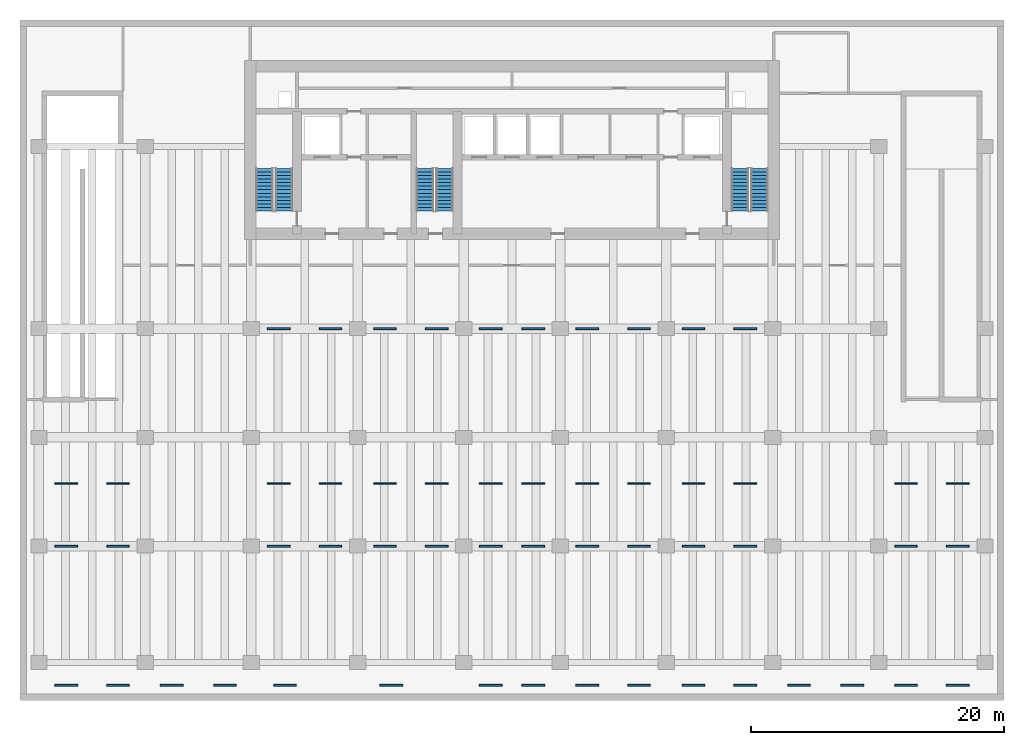
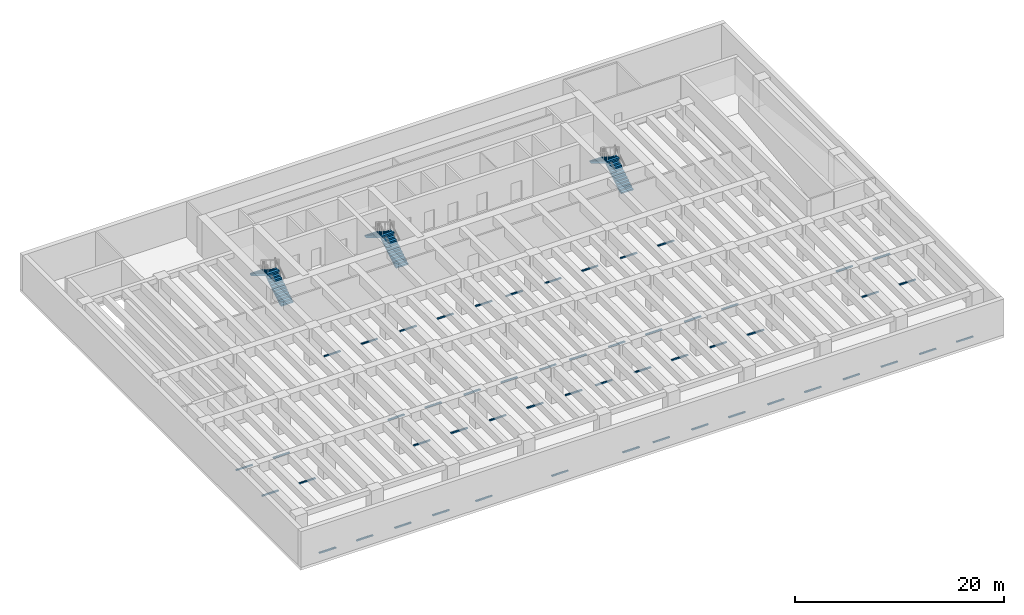
# One storey, part 6 of 8: 54 discrete accessories, 6 stair flights, 3 elements without a shape of their own.
"""IFC4 building model written with IfcOpenShell, lengths in metres."""

from ifc_helpers import new_model, si_unit, direction, frame, origin, origin_2d, place, context, subcontext, project, spatial, polyline, rectangle, outline, extrude, material, type_object, element, aggregate, save


model = new_model("IFC4")

# Units and contexts
model_context = context("Model", 3, precision=1e-05, world=origin(), true_north=direction((0.0, 1.0)))
body_context = subcontext(model_context, "Body", "Model", "MODEL_VIEW")
ifc_project = project(units=[si_unit("LENGTHUNIT", "METRE"), si_unit("AREAUNIT", "SQUARE_METRE"), si_unit("VOLUMEUNIT", "CUBIC_METRE"), si_unit("PLANEANGLEUNIT", "RADIAN"), si_unit("MASSUNIT", "GRAM", prefix="KILO")], contexts=[model_context])

# Site, building, storey
site_placement = place(None, origin())
site = spatial("IfcSite", under=ifc_project, at=site_placement, CompositionType="ELEMENT")
building_placement = place(site_placement, origin())
building = spatial("IfcBuilding", under=site, at=building_placement, Name="Caelmar Bay Residences", CompositionType="ELEMENT")
storey_placement = place(building_placement, frame((0.0, 0.0, -4.5)))
storey = spatial("IfcBuildingStorey", under=building, at=storey_placement, Name="B01", CompositionType="ELEMENT", Elevation=-4.5)

# Stair, stair flights
ifc_material_1 = material(Name="Concrete f'c 40 MPa (6,000 psi)", Category="concrete")
stair_type = type_object("IfcStairType", Name="ST-BSM-173", PredefinedType="HALF_TURN_STAIR", material=ifc_material_1)
stair_1_placement = place(storey_placement, origin())
stair_1 = element("IfcStair", 1, at=stair_1_placement, inside=storey, type_object=stair_type, Name="B01 West Smokeproof Exit Stair ST1", PredefinedType="HALF_TURN_STAIR")
ifc_material_2 = material(Name="Precast concrete f'c 40 MPa (6,000 psi)", Category="concrete")
stair_flight_type = type_object("IfcStairFlightType", Name="STF-1400", PredefinedType="STRAIGHT", material=ifc_material_2)
stair_flight_1_placement = place(storey_placement, frame((20.875, 38.699951171875, 0.0), z_axis=(0.0, 0.0, 1.0), x_axis=(0.0, 1.0, 0.0)))
stair_flight_1 = element("IfcStairFlight", 2, at=stair_flight_1_placement, type_object=stair_flight_type, Name="ST1 flight 1", NumberOfRisers=13, NumberOfTreads=12, PredefinedType="STRAIGHT", RiserHeight=0.173076923, TreadLength=0.28, context=body_context, shape_type="SweptSolid", body=[
    extrude(outline(polyline([(0.0, 0.0), (0.0, 0.173095703125), (0.280029296875, 0.173095703125), (0.280029296875, 0.34619140625), (0.56005859375, 0.34619140625), (0.56005859375, 0.519287109375), (0.840087890625, 0.519287109375), (0.840087890625, 0.6923828125), (1.1201171875, 0.6923828125), (1.1201171875, 0.865478515625), (1.39990234375, 0.865478515625), (1.39990234375, 1.03857421875), (1.679931640625, 1.03857421875), (1.679931640625, 1.21142578125), (1.9599609375, 1.21142578125), (1.9599609375, 1.384521484375), (2.239990234375, 1.384521484375), (2.239990234375, 1.5576171875), (2.52001953125, 1.5576171875), (2.52001953125, 1.730712890625), (2.800048828125, 1.730712890625), (2.800048828125, 1.90380859375), (3.080078125, 1.90380859375), (3.080078125, 2.076904296875), (3.360107421875, 2.076904296875), (3.360107421875, 2.25), (3.360107421875, 1.900634765625), (0.28515625, 0.0), (0.0, 0.0)])), frame((0.0, 0.675048828125, 0.0), z_axis=(0.0, -1.0, 0.0), x_axis=(1.0, 0.0, 0.0)), (0.0, 0.0, 1.0), 1.35009765625),
])
stair_flight_2_placement = place(storey_placement, frame((19.324951171875, 42.06005859375, 2.25), z_axis=(0.0, 0.0, 1.0), x_axis=(0.0, -1.0, 0.0)))
stair_flight_2 = element("IfcStairFlight", 3, at=stair_flight_2_placement, type_object=stair_flight_type, Name="ST1 flight 2", NumberOfRisers=13, NumberOfTreads=12, PredefinedType="STRAIGHT", RiserHeight=0.173076923, TreadLength=0.28, context=body_context, shape_type="SweptSolid", body=[
    extrude(outline(polyline([(0.0, 0.0), (0.0, 0.173095703125), (0.280029296875, 0.173095703125), (0.280029296875, 0.34619140625), (0.56005859375, 0.34619140625), (0.56005859375, 0.519287109375), (0.840087890625, 0.519287109375), (0.840087890625, 0.6923828125), (1.1201171875, 0.6923828125), (1.1201171875, 0.865478515625), (1.39990234375, 0.865478515625), (1.39990234375, 1.03857421875), (1.679931640625, 1.03857421875), (1.679931640625, 1.21142578125), (1.9599609375, 1.21142578125), (1.9599609375, 1.384521484375), (2.239990234375, 1.384521484375), (2.239990234375, 1.5576171875), (2.52001953125, 1.5576171875), (2.52001953125, 1.730712890625), (2.800048828125, 1.730712890625), (2.800048828125, 1.90380859375), (3.080078125, 1.90380859375), (3.080078125, 2.076904296875), (3.360107421875, 2.076904296875), (3.360107421875, 2.25), (3.360107421875, 1.900634765625), (0.28515625, 0.0), (0.0, 0.0)])), frame((0.0, 0.675048828125, 0.0), z_axis=(0.0, -1.0, 0.0), x_axis=(1.0, 0.0, 0.0)), (0.0, 0.0, 1.0), 1.35009765625),
])
aggregate(stair_1, [stair_flight_1, stair_flight_2])

stair_2_placement = place(storey_placement, origin())
stair_2 = element("IfcStair", 4, at=stair_2_placement, inside=storey, type_object=stair_type, Name="B01 East Smokeproof Exit Stair ST2", PredefinedType="HALF_TURN_STAIR")
stair_flight_3_placement = place(storey_placement, frame((58.47509765625, 38.699951171875, 0.0), z_axis=(0.0, 0.0, 1.0), x_axis=(0.0, 1.0, 0.0)))
stair_flight_3 = element("IfcStairFlight", 5, at=stair_flight_3_placement, type_object=stair_flight_type, Name="ST2 flight 1", NumberOfRisers=13, NumberOfTreads=12, PredefinedType="STRAIGHT", RiserHeight=0.173076923, TreadLength=0.28, context=body_context, shape_type="SweptSolid", body=[
    extrude(outline(polyline([(0.0, 0.0), (0.0, 0.173095703125), (0.280029296875, 0.173095703125), (0.280029296875, 0.34619140625), (0.56005859375, 0.34619140625), (0.56005859375, 0.519287109375), (0.840087890625, 0.519287109375), (0.840087890625, 0.6923828125), (1.1201171875, 0.6923828125), (1.1201171875, 0.865478515625), (1.39990234375, 0.865478515625), (1.39990234375, 1.03857421875), (1.679931640625, 1.03857421875), (1.679931640625, 1.21142578125), (1.9599609375, 1.21142578125), (1.9599609375, 1.384521484375), (2.239990234375, 1.384521484375), (2.239990234375, 1.5576171875), (2.52001953125, 1.5576171875), (2.52001953125, 1.730712890625), (2.800048828125, 1.730712890625), (2.800048828125, 1.90380859375), (3.080078125, 1.90380859375), (3.080078125, 2.076904296875), (3.360107421875, 2.076904296875), (3.360107421875, 2.25), (3.360107421875, 1.900634765625), (0.28515625, 0.0), (0.0, 0.0)])), frame((0.0, 0.675048828125, 0.0), z_axis=(0.0, -1.0, 0.0), x_axis=(1.0, 0.0, 0.0)), (0.0, 0.0, 1.0), 1.35009765625),
])
stair_flight_4_placement = place(storey_placement, frame((56.925048828125, 42.06005859375, 2.25), z_axis=(0.0, 0.0, 1.0), x_axis=(0.0, -1.0, 0.0)))
stair_flight_4 = element("IfcStairFlight", 6, at=stair_flight_4_placement, type_object=stair_flight_type, Name="ST2 flight 2", NumberOfRisers=13, NumberOfTreads=12, PredefinedType="STRAIGHT", RiserHeight=0.173076923, TreadLength=0.28, context=body_context, shape_type="SweptSolid", body=[
    extrude(outline(polyline([(0.0, 0.0), (0.0, 0.173095703125), (0.280029296875, 0.173095703125), (0.280029296875, 0.34619140625), (0.56005859375, 0.34619140625), (0.56005859375, 0.519287109375), (0.840087890625, 0.519287109375), (0.840087890625, 0.6923828125), (1.1201171875, 0.6923828125), (1.1201171875, 0.865478515625), (1.39990234375, 0.865478515625), (1.39990234375, 1.03857421875), (1.679931640625, 1.03857421875), (1.679931640625, 1.21142578125), (1.9599609375, 1.21142578125), (1.9599609375, 1.384521484375), (2.239990234375, 1.384521484375), (2.239990234375, 1.5576171875), (2.52001953125, 1.5576171875), (2.52001953125, 1.730712890625), (2.800048828125, 1.730712890625), (2.800048828125, 1.90380859375), (3.080078125, 1.90380859375), (3.080078125, 2.076904296875), (3.360107421875, 2.076904296875), (3.360107421875, 2.25), (3.360107421875, 1.900634765625), (0.28515625, 0.0), (0.0, 0.0)])), frame((0.0, 0.675048828125, 0.0), z_axis=(0.0, -1.0, 0.0), x_axis=(1.0, 0.0, 0.0)), (0.0, 0.0, 1.0), 1.35009765625),
])
aggregate(stair_2, [stair_flight_3, stair_flight_4])

stair_3_placement = place(storey_placement, origin())
stair_3 = element("IfcStair", 7, at=stair_3_placement, inside=storey, type_object=stair_type, Name="B01 Central Smokeproof Exit Stair ST3", PredefinedType="HALF_TURN_STAIR")
stair_flight_5_placement = place(storey_placement, frame((33.574951171875, 38.699951171875, 0.0), z_axis=(0.0, 0.0, 1.0), x_axis=(0.0, 1.0, 0.0)))
stair_flight_5 = element("IfcStairFlight", 8, at=stair_flight_5_placement, type_object=stair_flight_type, Name="ST3 flight 1", NumberOfRisers=13, NumberOfTreads=12, PredefinedType="STRAIGHT", RiserHeight=0.173076923, TreadLength=0.28, context=body_context, shape_type="SweptSolid", body=[
    extrude(outline(polyline([(0.0, 0.0), (0.0, 0.173095703125), (0.280029296875, 0.173095703125), (0.280029296875, 0.34619140625), (0.56005859375, 0.34619140625), (0.56005859375, 0.519287109375), (0.840087890625, 0.519287109375), (0.840087890625, 0.6923828125), (1.1201171875, 0.6923828125), (1.1201171875, 0.865478515625), (1.39990234375, 0.865478515625), (1.39990234375, 1.03857421875), (1.679931640625, 1.03857421875), (1.679931640625, 1.21142578125), (1.9599609375, 1.21142578125), (1.9599609375, 1.384521484375), (2.239990234375, 1.384521484375), (2.239990234375, 1.5576171875), (2.52001953125, 1.5576171875), (2.52001953125, 1.730712890625), (2.800048828125, 1.730712890625), (2.800048828125, 1.90380859375), (3.080078125, 1.90380859375), (3.080078125, 2.076904296875), (3.360107421875, 2.076904296875), (3.360107421875, 2.25), (3.360107421875, 1.900634765625), (0.28515625, 0.0), (0.0, 0.0)])), frame((0.0, 0.675048828125, 0.0), z_axis=(0.0, -1.0, 0.0), x_axis=(1.0, 0.0, 0.0)), (0.0, 0.0, 1.0), 1.35009765625),
])
stair_flight_6_placement = place(storey_placement, frame((32.02490234375, 42.06005859375, 2.25), z_axis=(0.0, 0.0, 1.0), x_axis=(0.0, -1.0, 0.0)))
stair_flight_6 = element("IfcStairFlight", 9, at=stair_flight_6_placement, type_object=stair_flight_type, Name="ST3 flight 2", NumberOfRisers=13, NumberOfTreads=12, PredefinedType="STRAIGHT", RiserHeight=0.173076923, TreadLength=0.28, context=body_context, shape_type="SweptSolid", body=[
    extrude(outline(polyline([(0.0, 0.0), (0.0, 0.173095703125), (0.280029296875, 0.173095703125), (0.280029296875, 0.34619140625), (0.56005859375, 0.34619140625), (0.56005859375, 0.519287109375), (0.840087890625, 0.519287109375), (0.840087890625, 0.6923828125), (1.1201171875, 0.6923828125), (1.1201171875, 0.865478515625), (1.39990234375, 0.865478515625), (1.39990234375, 1.03857421875), (1.679931640625, 1.03857421875), (1.679931640625, 1.21142578125), (1.9599609375, 1.21142578125), (1.9599609375, 1.384521484375), (2.239990234375, 1.384521484375), (2.239990234375, 1.5576171875), (2.52001953125, 1.5576171875), (2.52001953125, 1.730712890625), (2.800048828125, 1.730712890625), (2.800048828125, 1.90380859375), (3.080078125, 1.90380859375), (3.080078125, 2.076904296875), (3.360107421875, 2.076904296875), (3.360107421875, 2.25), (3.360107421875, 1.900634765625), (0.28515625, 0.0), (0.0, 0.0)])), frame((0.0, 0.675048828125, 0.0), z_axis=(0.0, -1.0, 0.0), x_axis=(1.0, 0.0, 0.0)), (0.0, 0.0, 1.0), 1.35009765625),
])
aggregate(stair_3, [stair_flight_5, stair_flight_6])

# Discrete accessories
ifc_material_3 = material(Name="Precast concrete f'c 30 MPa (4,500 psi)", Category="concrete")
discrete_accessory_type = type_object("IfcDiscreteAccessoryType", Name="ACC-WHLSTOP-1800", PredefinedType="USERDEFINED", material=ifc_material_3)
for number, where, z_axis, x_axis, name in (
    (10, (3.64990234375, 1.199951171875, 0.0), (0.0, 0.0, 1.0), (1.0, 0.0, 0.0), "B01 Parking Stall 1 Wheel Stop"),
    (11, (7.75, 1.199951171875, 0.0), (0.0, 0.0, 1.0), (1.0, 0.0, 0.0), "B01 Parking Stall 2 Wheel Stop"),
    (12, (12.0, 1.199951171875, 0.0), (0.0, 0.0, 1.0), (1.0, 0.0, 0.0), "B01 Parking Stall 3 Wheel Stop"),
    (13, (16.199951171875, 1.199951171875, 0.0), (0.0, 0.0, 1.0), (1.0, 0.0, 0.0), "B01 Parking Stall 4 Wheel Stop"),
    (14, (20.949951171875, 1.199951171875, 0.0), (0.0, 0.0, 1.0), (1.0, 0.0, 0.0), "B01 Accessible Parking Bay 5 Wheel Stop"),
    (15, (29.35009765625, 1.199951171875, 0.0), (0.0, 0.0, 1.0), (1.0, 0.0, 0.0), "B01 Accessible Parking Bay 6 Wheel Stop"),
    (16, (37.22509765625, 1.199951171875, 0.0), (0.0, 0.0, 1.0), (1.0, 0.0, 0.0), "B01 Parking Stall 7 Wheel Stop"),
    (17, (40.574951171875, 1.199951171875, 0.0), (0.0, 0.0, 1.0), (1.0, 0.0, 0.0), "B01 Parking Stall 8 Wheel Stop"),
    (18, (44.85009765625, 1.199951171875, 0.0), (0.0, 0.0, 1.0), (1.0, 0.0, 0.0), "B01 Parking Stall 9 Wheel Stop"),
    (19, (48.949951171875, 1.199951171875, 0.0), (0.0, 0.0, 1.0), (1.0, 0.0, 0.0), "B01 Parking Stall 10 Wheel Stop"),
    (20, (53.25, 1.199951171875, 0.0), (0.0, 0.0, 1.0), (1.0, 0.0, 0.0), "B01 Parking Stall 11 Wheel Stop"),
    (21, (57.35009765625, 1.199951171875, 0.0), (0.0, 0.0, 1.0), (1.0, 0.0, 0.0), "B01 Parking Stall 12 Wheel Stop"),
    (22, (61.60009765625, 1.199951171875, 0.0), (0.0, 0.0, 1.0), (1.0, 0.0, 0.0), "B01 Parking Stall 13 Wheel Stop"),
    (23, (65.800048828125, 1.199951171875, 0.0), (0.0, 0.0, 1.0), (1.0, 0.0, 0.0), "B01 Parking Stall 14 Wheel Stop"),
    (24, (70.050048828125, 1.199951171875, 0.0), (0.0, 0.0, 1.0), (1.0, 0.0, 0.0), "B01 Parking Stall 15 Wheel Stop"),
    (25, (74.14990234375, 1.199951171875, 0.0), (0.0, 0.0, 1.0), (1.0, 0.0, 0.0), "B01 Parking Stall 16 Wheel Stop"),
    (26, (3.64990234375, 12.199951171875, 0.0), (0.0, 0.0, 1.0), (1.0, 0.0, 0.0), "B01 Parking Stall 17 Wheel Stop"),
    (27, (7.75, 12.199951171875, 0.0), (0.0, 0.0, 1.0), (1.0, 0.0, 0.0), "B01 Parking Stall 18 Wheel Stop"),
    (28, (20.449951171875, 12.199951171875, 0.0), (0.0, 0.0, 1.0), (1.0, 0.0, 0.0), "B01 Parking Stall 19 Wheel Stop"),
    (29, (24.550048828125, 12.199951171875, 0.0), (0.0, 0.0, 1.0), (1.0, 0.0, 0.0), "B01 Parking Stall 20 Wheel Stop"),
    (30, (28.85009765625, 12.199951171875, 0.0), (0.0, 0.0, 1.0), (1.0, 0.0, 0.0), "B01 Parking Stall 21 Wheel Stop"),
    (31, (32.949951171875, 12.199951171875, 0.0), (0.0, 0.0, 1.0), (1.0, 0.0, 0.0), "B01 Parking Stall 22 Wheel Stop"),
    (32, (37.22509765625, 12.199951171875, 0.0), (0.0, 0.0, 1.0), (1.0, 0.0, 0.0), "B01 Parking Stall 23 Wheel Stop"),
    (33, (40.574951171875, 12.199951171875, 0.0), (0.0, 0.0, 1.0), (1.0, 0.0, 0.0), "B01 Parking Stall 24 Wheel Stop"),
    (34, (44.85009765625, 12.199951171875, 0.0), (0.0, 0.0, 1.0), (1.0, 0.0, 0.0), "B01 Parking Stall 25 Wheel Stop"),
    (35, (48.949951171875, 12.199951171875, 0.0), (0.0, 0.0, 1.0), (1.0, 0.0, 0.0), "B01 Parking Stall 26 Wheel Stop"),
    (36, (53.25, 12.199951171875, 0.0), (0.0, 0.0, 1.0), (1.0, 0.0, 0.0), "B01 Parking Stall 27 Wheel Stop"),
    (37, (57.35009765625, 12.199951171875, 0.0), (0.0, 0.0, 1.0), (1.0, 0.0, 0.0), "B01 Parking Stall 28 Wheel Stop"),
    (38, (70.050048828125, 12.199951171875, 0.0), (0.0, 0.0, 1.0), (1.0, 0.0, 0.0), "B01 Parking Stall 29 Wheel Stop"),
    (39, (74.14990234375, 12.199951171875, 0.0), (0.0, 0.0, 1.0), (1.0, 0.0, 0.0), "B01 Parking Stall 30 Wheel Stop"),
    (40, (3.64990234375, 17.14990234375, 0.0), (0.0, 0.0, 1.0), (1.0, 0.0, 0.0), "B01 Parking Stall 31 Wheel Stop"),
    (41, (7.75, 17.14990234375, 0.0), (0.0, 0.0, 1.0), (1.0, 0.0, 0.0), "B01 Parking Stall 32 Wheel Stop"),
    (42, (20.449951171875, 17.14990234375, 0.0), (0.0, 0.0, 1.0), (1.0, 0.0, 0.0), "B01 Parking Stall 33 Wheel Stop"),
    (43, (24.550048828125, 17.14990234375, 0.0), (0.0, 0.0, 1.0), (1.0, 0.0, 0.0), "B01 Parking Stall 34 Wheel Stop"),
    (44, (28.85009765625, 17.14990234375, 0.0), (0.0, 0.0, 1.0), (1.0, 0.0, 0.0), "B01 Parking Stall 35 Wheel Stop"),
    (45, (32.949951171875, 17.14990234375, 0.0), (0.0, 0.0, 1.0), (1.0, 0.0, 0.0), "B01 Parking Stall 36 Wheel Stop"),
    (46, (37.22509765625, 17.14990234375, 0.0), (0.0, 0.0, 1.0), (1.0, 0.0, 0.0), "B01 Parking Stall 37 Wheel Stop"),
    (47, (40.574951171875, 17.14990234375, 0.0), (0.0, 0.0, 1.0), (1.0, 0.0, 0.0), "B01 Parking Stall 38 Wheel Stop"),
    (48, (44.85009765625, 17.14990234375, 0.0), (0.0, 0.0, 1.0), (1.0, 0.0, 0.0), "B01 Parking Stall 39 Wheel Stop"),
    (49, (48.949951171875, 17.14990234375, 0.0), (0.0, 0.0, 1.0), (1.0, 0.0, 0.0), "B01 Parking Stall 40 Wheel Stop"),
    (50, (53.25, 17.14990234375, 0.0), (0.0, 0.0, 1.0), (1.0, 0.0, 0.0), "B01 Parking Stall 41 Wheel Stop"),
    (51, (57.35009765625, 17.14990234375, 0.0), (0.0, 0.0, 1.0), (1.0, 0.0, 0.0), "B01 Parking Stall 42 Wheel Stop"),
    (52, (70.050048828125, 17.14990234375, 0.0), (0.0, 0.0, 1.0), (1.0, 0.0, 0.0), "B01 Parking Stall 43 Wheel Stop"),
    (53, (74.14990234375, 17.14990234375, 0.0), (0.0, 0.0, 1.0), (1.0, 0.0, 0.0), "B01 Parking Stall 44 Wheel Stop"),
    (54, (20.449951171875, 29.39990234375, 0.0), (0.0, 0.0, 1.0), (1.0, 0.0, 0.0), "B01 Parking Stall 45 Wheel Stop"),
    (55, (24.550048828125, 29.39990234375, 0.0), (0.0, 0.0, 1.0), (1.0, 0.0, 0.0), "B01 Parking Stall 46 Wheel Stop"),
    (56, (28.85009765625, 29.39990234375, 0.0), (0.0, 0.0, 1.0), (1.0, 0.0, 0.0), "B01 Parking Stall 47 Wheel Stop"),
    (57, (32.949951171875, 29.39990234375, 0.0), (0.0, 0.0, 1.0), (1.0, 0.0, 0.0), "B01 Parking Stall 48 Wheel Stop"),
    (58, (37.22509765625, 29.39990234375, 0.0), (0.0, 0.0, 1.0), (1.0, 0.0, 0.0), "B01 Parking Stall 49 Wheel Stop"),
    (59, (40.574951171875, 29.39990234375, 0.0), (0.0, 0.0, 1.0), (1.0, 0.0, 0.0), "B01 Parking Stall 50 Wheel Stop"),
    (60, (44.85009765625, 29.39990234375, 0.0), (0.0, 0.0, 1.0), (1.0, 0.0, 0.0), "B01 Parking Stall 51 Wheel Stop"),
    (61, (48.949951171875, 29.39990234375, 0.0), (0.0, 0.0, 1.0), (1.0, 0.0, 0.0), "B01 Parking Stall 52 Wheel Stop"),
    (62, (53.25, 29.39990234375, 0.0), (0.0, 0.0, 1.0), (1.0, 0.0, 0.0), "B01 Parking Stall 53 Wheel Stop"),
    (63, (57.35009765625, 29.39990234375, 0.0), (0.0, 0.0, 1.0), (1.0, 0.0, 0.0), "B01 Parking Stall 54 Wheel Stop"),
):
    element("IfcDiscreteAccessory", number, at=place(storey_placement, frame(where, z_axis=z_axis, x_axis=x_axis)), inside=storey, type_object=discrete_accessory_type, Name=name, ObjectType="WHEEL_STOP", PredefinedType="USERDEFINED", context=body_context, shape_type="SweptSolid", body=[
        extrude(rectangle(XDim=1.800048828125, YDim=0.14990234375, at=origin_2d()), origin(), (0.0, 0.0, 1.0), 0.10009765625),
    ])

save(model, "model.ifc")
